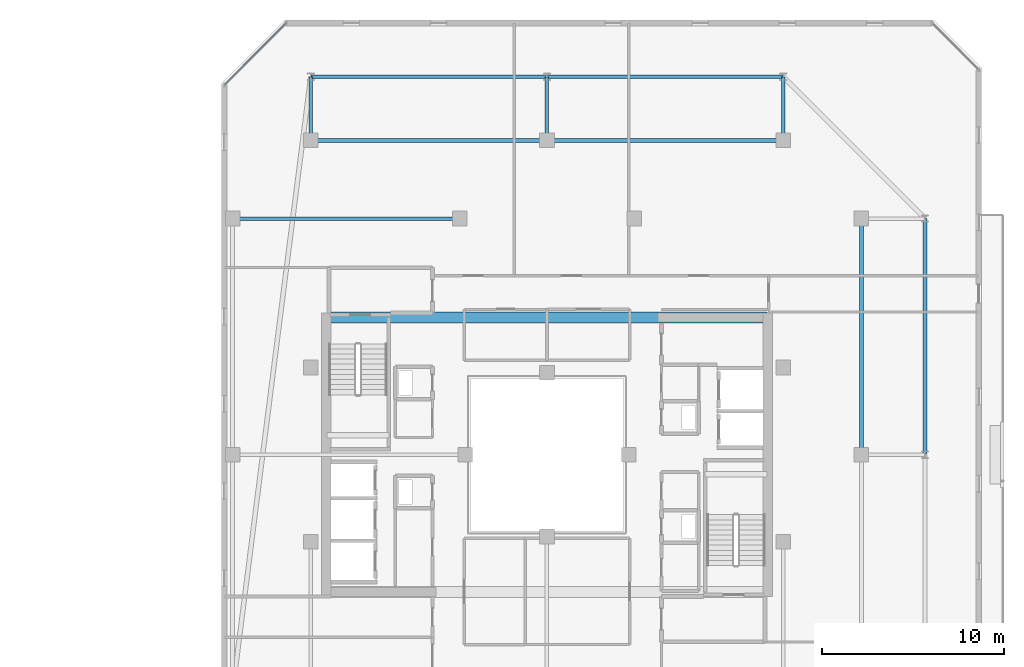
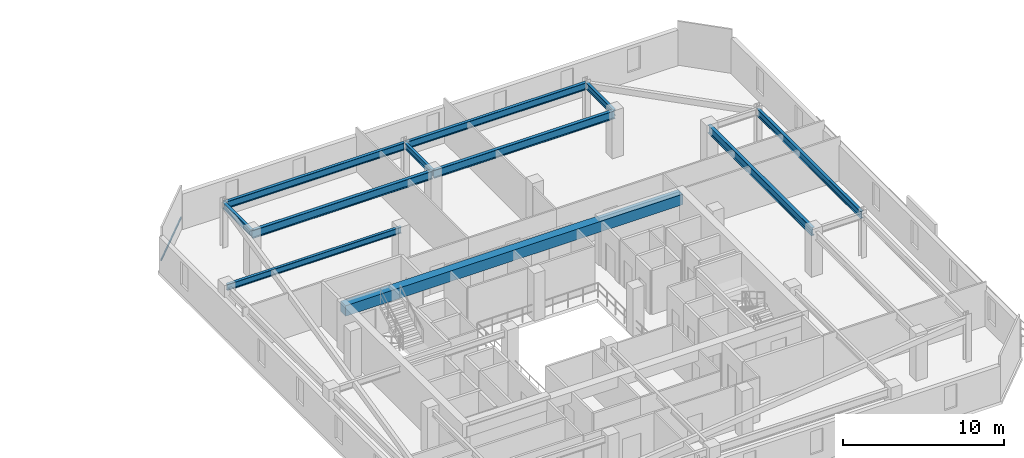
# One storey, part 17 of 35: 11 beams, 1 member, 1 element without a shape of its own.
"""IFC4 building model written with IfcOpenShell, lengths in metres."""

from ifc_helpers import new_model, si_unit, direction, frame, origin, origin_2d, place, context, subcontext, project, spatial, rectangle, hollow_rectangle, i_section, extrude, material, material_profile, profile_set, type_object, element, aggregate, save


model = new_model("IFC4")

# Units and contexts
model_context = context("Model", 3, precision=1e-05, world=origin(), true_north=direction((0.0, 1.0)))
body_context = subcontext(model_context, "Body", "Model", "MODEL_VIEW")
ifc_project = project(units=[si_unit("LENGTHUNIT", "METRE"), si_unit("AREAUNIT", "SQUARE_METRE"), si_unit("VOLUMEUNIT", "CUBIC_METRE"), si_unit("PLANEANGLEUNIT", "RADIAN"), si_unit("MASSUNIT", "GRAM", prefix="KILO")], contexts=[model_context])

# Site, building, storey
site_placement = place(None, origin())
site = spatial("IfcSite", under=ifc_project, at=site_placement, CompositionType="ELEMENT")
building_placement = place(site_placement, origin())
building = spatial("IfcBuilding", under=site, at=building_placement, Name="Thornwick Lancets Civic Towers", CompositionType="ELEMENT")
storey_placement = place(building_placement, frame((0.0, 0.0, 265.5)))
storey = spatial("IfcBuildingStorey", under=building, at=storey_placement, Name="L71", CompositionType="ELEMENT", Elevation=265.5)

# Beams
ifc_material_1 = material(Name="Concrete C60/75", Category="concrete")
ifc_material_profile_1 = material_profile(ifc_material_1, rectangle(XDim=0.60009765625, YDim=0.800048828125, at=origin_2d()), Name="RC 600x800")
ifc_profile_set_1 = profile_set([ifc_material_profile_1], Name="Concrete C60/75")
beam_type_1 = type_object("IfcBeamType", Name="BM_COUP_RC800", PredefinedType="BEAM", material=ifc_profile_set_1)
beam_1_placement = place(storey_placement, frame((76.39990234375, 34.550048828125, 2.9599609375), z_axis=(1.0, 0.0, 0.0), x_axis=(0.0, 1.0, 0.0)))
element("IfcBeam", 1, at=beam_1_placement, inside=storey, type_object=beam_type_1, Name="CB-L71-B1", PredefinedType="BEAM", context=body_context, shape_type="SweptSolid", body=[
    extrude(rectangle(XDim=0.60009765625, YDim=0.800048828125, at=origin_2d()), origin(), (0.0, 0.0, 1.0), 24.2001953125),
])
ifc_material_2 = material(Name="Steel S355JR", Category="steel")
ifc_material_profile_2 = material_profile(ifc_material_2, i_section(OverallWidth=0.210693359375, OverallDepth=0.53955078125, WebThickness=0.01171875, FlangeThickness=0.018798828125, FilletRadius=0.0126953125, at=origin_2d()), Name="UKB 533x210x109")
ifc_profile_set_2 = profile_set([ifc_material_profile_2], Name="Steel S355JR")
beam_type_2 = type_object("IfcBeamType", Name="BM_EDGE_533_109", PredefinedType="SPANDREL", material=ifc_profile_set_2)
beam_2_placement = place(storey_placement, frame((109.300048828125, 27.080078125, 3.09033203125), z_axis=(0.0, 1.0, 0.0), x_axis=(-1.0, 0.0, 0.0)))
element("IfcBeam", 2, at=beam_2_placement, inside=storey, type_object=beam_type_2, Name="BM-EDGE-L71-B-S0-2", PredefinedType="SPANDREL", context=body_context, shape_type="SweptSolid", body=[
    extrude(i_section(OverallWidth=0.210693359375, OverallDepth=0.53955078125, WebThickness=0.01171875, FlangeThickness=0.018798828125, FilletRadius=0.0126953125, at=origin_2d()), origin(), (0.0, 0.0, 1.0), 12.919921875),
])
beam_3_placement = place(storey_placement, frame((101.5, 47.800048828125, 3.09033203125), z_axis=(-1.0, 0.0, 0.0), x_axis=(0.0, -1.0, 0.0)))
element("IfcBeam", 3, at=beam_3_placement, inside=storey, type_object=beam_type_2, Name="BM-EDGE-L71-B-S1-1", PredefinedType="SPANDREL", context=body_context, shape_type="SweptSolid", body=[
    extrude(i_section(OverallWidth=0.210693359375, OverallDepth=0.53955078125, WebThickness=0.01171875, FlangeThickness=0.018798828125, FilletRadius=0.0126953125, at=origin_2d()), origin(), (0.0, 0.0, 1.0), 13.0),
])
beam_4_placement = place(storey_placement, frame((88.419921875, 47.800048828125, 3.09033203125), z_axis=(-1.0, 0.0, 0.0), x_axis=(0.0, -1.0, 0.0)))
element("IfcBeam", 4, at=beam_4_placement, inside=storey, type_object=beam_type_2, Name="BM-EDGE-L71-B-S1-2", PredefinedType="SPANDREL", context=body_context, shape_type="SweptSolid", body=[
    extrude(i_section(OverallWidth=0.210693359375, OverallDepth=0.53955078125, WebThickness=0.01171875, FlangeThickness=0.018798828125, FilletRadius=0.0126953125, at=origin_2d()), origin(), (0.0, 0.0, 1.0), 12.919921875),
])
ifc_material_profile_3 = material_profile(ifc_material_2, i_section(OverallWidth=0.230224609375, OverallDepth=0.6171875, WebThickness=0.01318359375, FlangeThickness=0.022216796875, FilletRadius=0.0126953125, at=origin_2d()), Name="UKB 610x229x140")
ifc_profile_set_3 = profile_set([ifc_material_profile_3], Name="Steel S355JR")
beam_type_3 = type_object("IfcBeamType", Name="BM_GIRD_610_140", PredefinedType="BEAM", material=ifc_profile_set_3)
beam_5_placement = place(storey_placement, frame((105.800048828125, 27.080078125, 3.051513671875), z_axis=(0.0, 1.0, 0.0), x_axis=(-1.0, 0.0, 0.0)))
element("IfcBeam", 5, at=beam_5_placement, inside=storey, type_object=beam_type_3, Name="BM-SPINE-L71-B-1-2", PredefinedType="BEAM", context=body_context, shape_type="SweptSolid", body=[
    extrude(i_section(OverallWidth=0.230224609375, OverallDepth=0.6171875, WebThickness=0.01318359375, FlangeThickness=0.022216796875, FilletRadius=0.0126953125, at=origin_2d()), origin(), (0.0, 0.0, 1.0), 12.919921875),
])
beam_6_placement = place(storey_placement, frame((101.5, 44.300048828125, 3.051513671875), z_axis=(-1.0, 0.0, 0.0), x_axis=(0.0, -1.0, 0.0)))
element("IfcBeam", 6, at=beam_6_placement, inside=storey, type_object=beam_type_3, Name="BM-SPINE-L71-B-3-4", PredefinedType="BEAM", context=body_context, shape_type="SweptSolid", body=[
    extrude(i_section(OverallWidth=0.230224609375, OverallDepth=0.6171875, WebThickness=0.01318359375, FlangeThickness=0.022216796875, FilletRadius=0.0126953125, at=origin_2d()), origin(), (0.0, 0.0, 1.0), 13.0),
])
beam_7_placement = place(storey_placement, frame((88.419921875, 44.300048828125, 3.051513671875), z_axis=(-1.0, 0.0, 0.0), x_axis=(0.0, -1.0, 0.0)))
element("IfcBeam", 7, at=beam_7_placement, inside=storey, type_object=beam_type_3, Name="BM-SPINE-L71-B-4-5", PredefinedType="BEAM", context=body_context, shape_type="SweptSolid", body=[
    extrude(i_section(OverallWidth=0.230224609375, OverallDepth=0.6171875, WebThickness=0.01318359375, FlangeThickness=0.022216796875, FilletRadius=0.0126953125, at=origin_2d()), origin(), (0.0, 0.0, 1.0), 12.919921875),
])
ifc_material_profile_4 = material_profile(ifc_material_2, i_section(OverallWidth=0.19287109375, OverallDepth=0.46728515625, WebThickness=0.011474609375, FlangeThickness=0.01953125, FilletRadius=0.01025390625, at=origin_2d()), Name="UKB 457x191x98")
ifc_profile_set_4 = profile_set([ifc_material_profile_4], Name="Steel S355JR")
beam_type_4 = type_object("IfcBeamType", Name="BM_JOIST_457_98", PredefinedType="JOIST", material=ifc_profile_set_4)
for number, where, z_axis, x_axis, name in (
    (8, (101.5, 44.300048828125, 3.12646484375), (0.0, 1.0, 0.0), (-1.0, 0.0, 0.0), "BM-RAD-L71-B04"),
    (9, (88.5, 44.300048828125, 3.12646484375), (0.0, 1.0, 0.0), (-1.0, 0.0, 0.0), "BM-RAD-L71-B05"),
    (10, (75.5, 44.300048828125, 3.12646484375), (0.0, 1.0, 0.0), (-1.0, 0.0, 0.0), "BM-RAD-L71-B06"),
):
    element("IfcBeam", number, at=place(storey_placement, frame(where, z_axis=z_axis, x_axis=x_axis)), inside=storey, type_object=beam_type_4, Name=name, PredefinedType="JOIST", context=body_context, shape_type="SweptSolid", body=[
        extrude(i_section(OverallWidth=0.19287109375, OverallDepth=0.46728515625, WebThickness=0.011474609375, FlangeThickness=0.01953125, FilletRadius=0.01025390625, at=origin_2d()), origin(), (0.0, 0.0, 1.0), 3.5),
    ])
beam_8_placement = place(storey_placement, frame((83.699951171875, 40.0, 3.12646484375), z_axis=(-1.0, 0.0, 0.0), x_axis=(0.0, -1.0, 0.0)))
element("IfcBeam", 11, at=beam_8_placement, inside=storey, type_object=beam_type_4, Name="BM-RADIN-L71-B09", PredefinedType="JOIST", context=body_context, shape_type="SweptSolid", body=[
    extrude(i_section(OverallWidth=0.19287109375, OverallDepth=0.46728515625, WebThickness=0.011474609375, FlangeThickness=0.01953125, FilletRadius=0.01025390625, at=origin_2d()), origin(), (0.0, 0.0, 1.0), 12.5),
])

# Curtain wall, member
ifc_material_3 = material(Name="High-zone chamfered-corner unitised glass curtain wall", Category="glass")
curtain_wall_type = type_object("IfcCurtainWallType", Name="CW_SYS_05", PredefinedType="NOTDEFINED", material=ifc_material_3)
curtain_wall_placement = place(storey_placement, origin())
curtain_wall = element("IfcCurtainWall", 12, at=curtain_wall_placement, inside=storey, type_object=curtain_wall_type, Name="L71 Curtain Wall CW-L71-B-E5", PredefinedType="NOTDEFINED")
ifc_material_4 = material(Name="Thermally broken bronze aluminium S355", Category="steel")
ifc_material_profile_5 = material_profile(ifc_material_4, hollow_rectangle(XDim=0.074951171875, YDim=0.14990234375, WallThickness=0.0048828125, at=origin_2d()), Name="RHS 150x75x5")
ifc_profile_set_5 = profile_set([ifc_material_profile_5], Name="Thermally broken bronze aluminium S355")
member_type = type_object("IfcMemberType", Name="CW_TRN_150", PredefinedType="USERDEFINED", material=ifc_profile_set_5)
member_placement = place(storey_placement, frame((74.13232421875, 50.747802734375, 0.85009765625), z_axis=(-0.707106781187, -0.707106781187, 0.0), x_axis=(0.707106781187, -0.707106781187, 0.0)))
member = element("IfcMember", 13, at=member_placement, type_object=member_type, Name="CW-L71-B-E5 Transom 0", ObjectType="TRANSOM", PredefinedType="USERDEFINED", context=body_context, shape_type="SweptSolid", body=[
    extrude(hollow_rectangle(XDim=0.074951171875, YDim=0.14990234375, WallThickness=0.0048828125, at=origin_2d()), origin(), (0.0, 0.0, 1.0), 4.7802734375),
])
aggregate(curtain_wall, [member])

save(model, "model.ifc")
